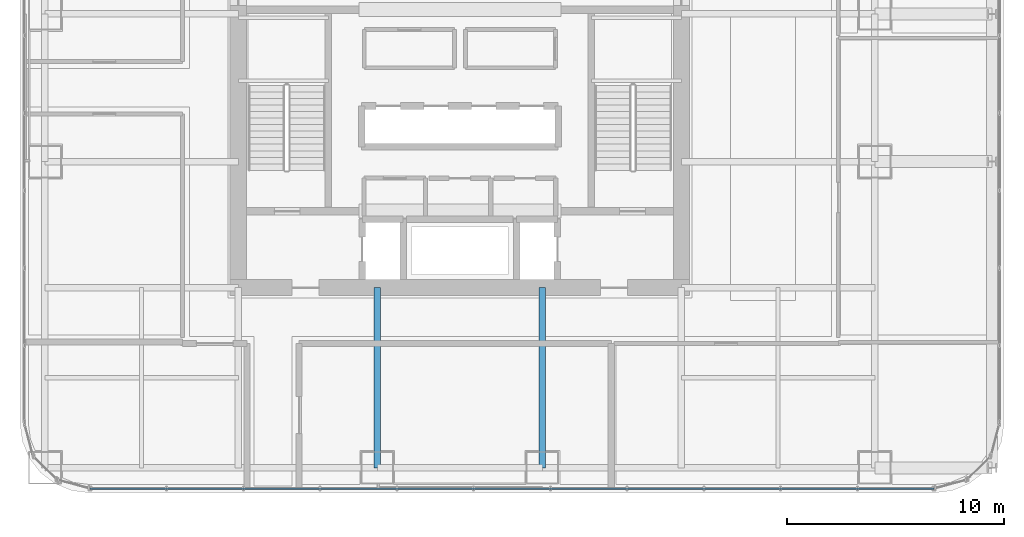
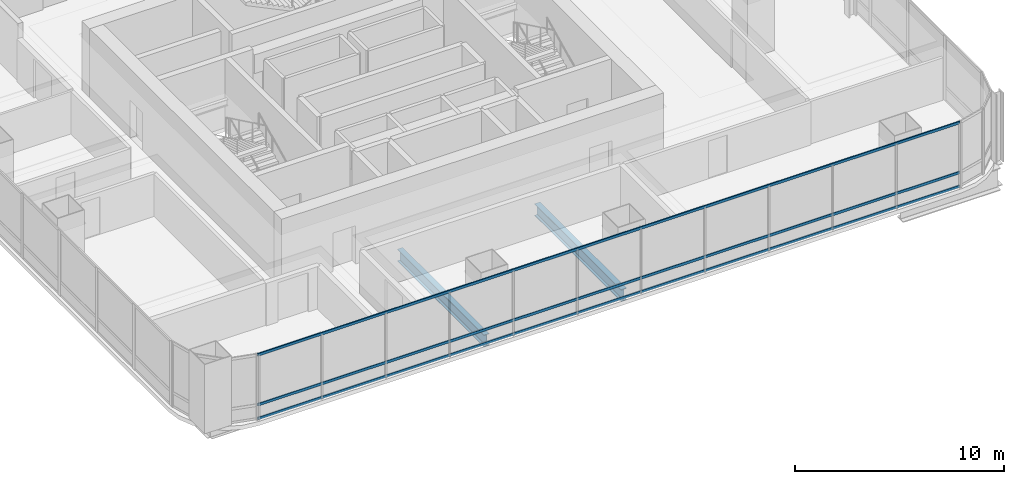
# One storey, part 6 of 34: 3 members, 2 beams, 1 element without a shape of its own.
"""IFC4 building model written with IfcOpenShell, lengths in metres."""

from ifc_helpers import new_model, si_unit, direction, frame, origin, origin_2d, place, context, subcontext, project, spatial, hollow_rectangle, i_section, extrude, material, material_profile, profile_set, type_object, element, aggregate, save


model = new_model("IFC4")

# Units and contexts
model_context = context("Model", 3, precision=1e-05, world=origin(), true_north=direction((0.0, 1.0)))
body_context = subcontext(model_context, "Body", "Model", "MODEL_VIEW")
ifc_project = project(units=[si_unit("LENGTHUNIT", "METRE"), si_unit("AREAUNIT", "SQUARE_METRE"), si_unit("VOLUMEUNIT", "CUBIC_METRE"), si_unit("PLANEANGLEUNIT", "RADIAN"), si_unit("MASSUNIT", "GRAM", prefix="KILO")], contexts=[model_context])

# Site, building, storey
site_placement = place(None, origin())
site = spatial("IfcSite", under=ifc_project, at=site_placement, CompositionType="ELEMENT")
building_placement = place(site_placement, origin())
building = spatial("IfcBuilding", under=site, at=building_placement, Name="Punatoya Terracotta Tower", CompositionType="ELEMENT")
storey_placement = place(building_placement, frame((0.0, 0.0, 105.14990234375)))
storey = spatial("IfcBuildingStorey", under=building, at=storey_placement, Name="L24", CompositionType="ELEMENT", Elevation=105.14990234375)

# Beams
ifc_material_1 = material(Name="Steel S355", Category="steel")
ifc_material_profile_1 = material_profile(ifc_material_1, i_section(OverallWidth=0.300048828125, OverallDepth=0.699951171875, WebThickness=0.01708984375, FlangeThickness=0.031982421875, FilletRadius=0.01806640625, at=origin_2d()))
ifc_profile_set_1 = profile_set([ifc_material_profile_1], Name="Steel S355")
beam_type = type_object("IfcBeamType", Name="BM-PRI-700", PredefinedType="BEAM", material=ifc_profile_set_1)
for number, where, z_axis, x_axis, name in (
    (1, (-3.800048828125, -17.5, -0.58984375), (0.0, 1.0, 0.0), (-1.0, 0.0, 0.0), "BM-L24-PR-S2"),
    (2, (3.800048828125, -17.5, -0.58984375), (0.0, 1.0, 0.0), (-1.0, 0.0, 0.0), "BM-L24-PR-S3"),
):
    element("IfcBeam", number, at=place(storey_placement, frame(where, z_axis=z_axis, x_axis=x_axis)), inside=storey, type_object=beam_type, Name=name, PredefinedType="BEAM", context=body_context, shape_type="SweptSolid", body=[
        extrude(i_section(OverallWidth=0.300048828125, OverallDepth=0.699951171875, WebThickness=0.01708984375, FlangeThickness=0.031982421875, FilletRadius=0.01806640625, at=origin_2d()), origin(), (0.0, 0.0, 1.0), 8.300048828125),
    ])

# Curtain wall, members
ifc_material_2 = material(Name="Aluminium 6063-T6 + Double Low-E Glass", Category="aluminium")
curtain_wall_type = type_object("IfcCurtainWallType", Name="CW-M1", PredefinedType="NOTDEFINED", material=ifc_material_2)
curtain_wall_placement = place(storey_placement, origin())
curtain_wall = element("IfcCurtainWall", 3, at=curtain_wall_placement, inside=storey, type_object=curtain_wall_type, Name="L24 Curtain Wall CW-L24-S01-1", PredefinedType="NOTDEFINED")
ifc_material_3 = material(Name="Aluminium 6063-T6", Category="aluminium")
ifc_material_profile_2 = material_profile(ifc_material_3, hollow_rectangle(XDim=0.068115234375, YDim=0.14990234375, WallThickness=0.00390625, at=origin_2d()))
ifc_profile_set_2 = profile_set([ifc_material_profile_2], Name="Aluminium 6063-T6")
member_type = type_object("IfcMemberType", Name="CW-TRN-TYP", PredefinedType="USERDEFINED", material=ifc_profile_set_2)
member_1_placement = place(storey_placement, frame((-17.036865234375, -18.449951171875, 0.0400390625), z_axis=(1.0, 0.0, 0.0), x_axis=(0.0, 1.0, 0.0)))
member_1 = element("IfcMember", 4, at=member_1_placement, type_object=member_type, Name="CW-L24-S01-1 Transom 1", ObjectType="TRANSOM", PredefinedType="USERDEFINED", context=body_context, shape_type="SweptSolid", body=[
    extrude(hollow_rectangle(XDim=0.068115234375, YDim=0.14990234375, WallThickness=0.00390625, at=origin_2d()), origin(), (0.0, 0.0, 1.0), 38.873779296875),
])
member_2_placement = place(storey_placement, frame((-17.036865234375, -18.449951171875, 0.85009765625), z_axis=(1.0, 0.0, 0.0), x_axis=(0.0, 1.0, 0.0)))
member_2 = element("IfcMember", 5, at=member_2_placement, type_object=member_type, Name="CW-L24-S01-1 Transom 2", ObjectType="TRANSOM", PredefinedType="USERDEFINED", context=body_context, shape_type="SweptSolid", body=[
    extrude(hollow_rectangle(XDim=0.068115234375, YDim=0.14990234375, WallThickness=0.00390625, at=origin_2d()), origin(), (0.0, 0.0, 1.0), 38.873779296875),
])
member_3_placement = place(storey_placement, frame((-17.036865234375, -18.449951171875, 3.77001953125), z_axis=(1.0, 0.0, 0.0), x_axis=(0.0, 1.0, 0.0)))
member_3 = element("IfcMember", 6, at=member_3_placement, type_object=member_type, Name="CW-L24-S01-1 Transom 3", ObjectType="TRANSOM", PredefinedType="USERDEFINED", context=body_context, shape_type="SweptSolid", body=[
    extrude(hollow_rectangle(XDim=0.068115234375, YDim=0.14990234375, WallThickness=0.00390625, at=origin_2d()), origin(), (0.0, 0.0, 1.0), 38.873779296875),
])
aggregate(curtain_wall, [member_1, member_2, member_3])

save(model, "model.ifc")
